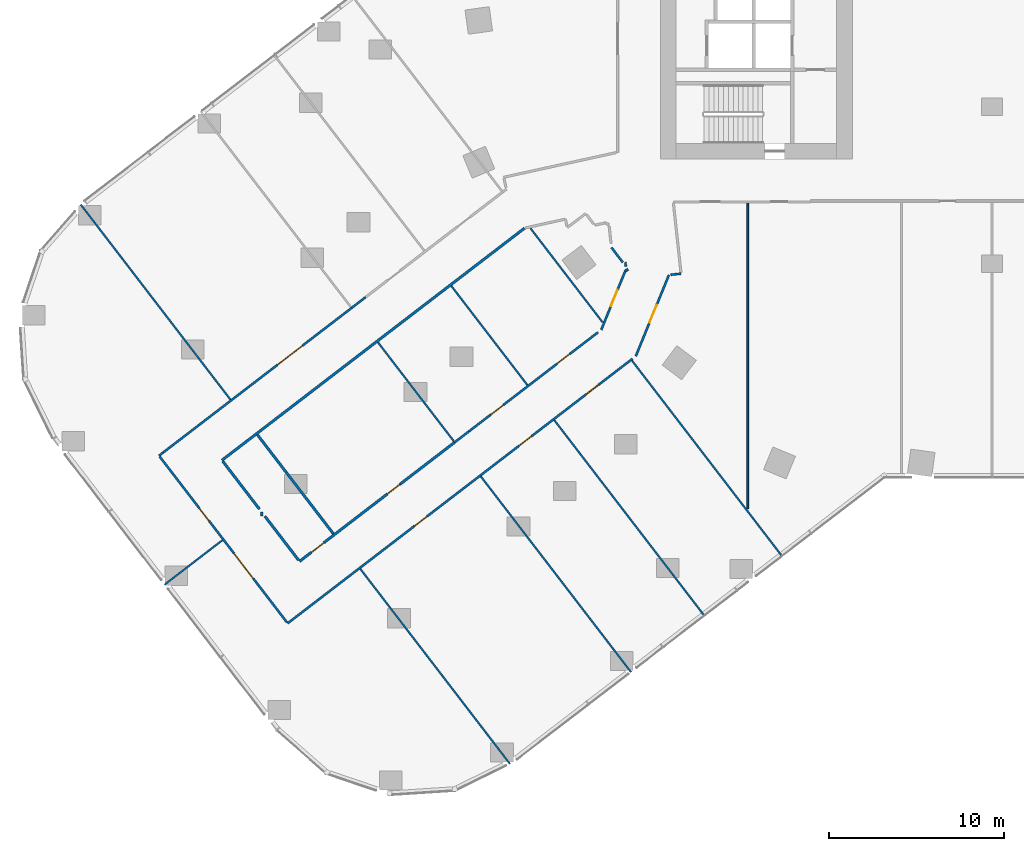
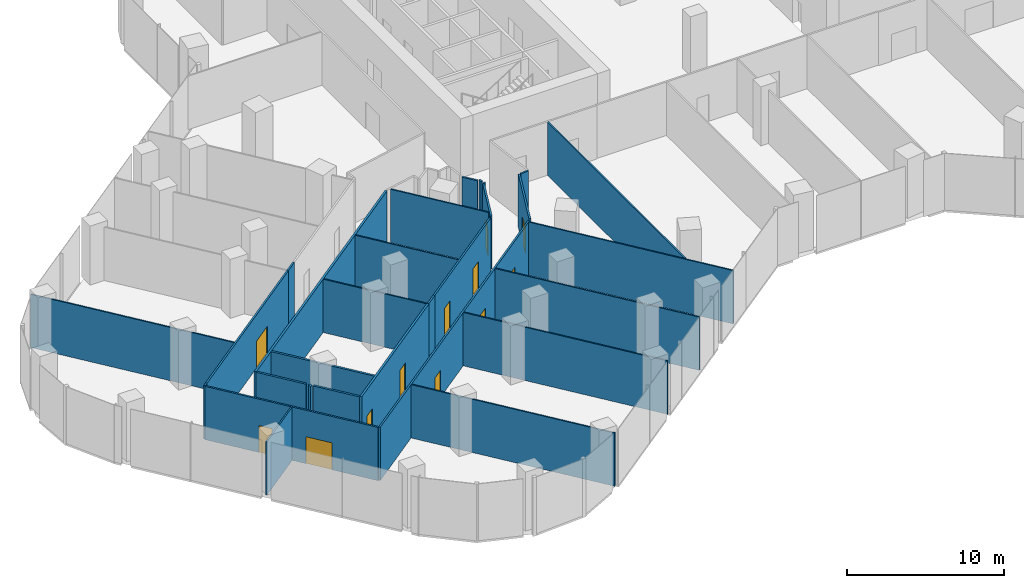
# One storey, part 22 of 30: 29 walls, 12 doors, 12 openings.
"""IFC4 building model written with IfcOpenShell, lengths in metres."""

from ifc_helpers import new_model, si_unit, direction, frame, frame_2d, origin, place, context, subcontext, project, spatial, rectangle, extrude, material, layer, layer_set, type_object, element, fill, save


model = new_model("IFC4")

# Units and contexts
model_context = context("Model", 3, precision=1e-05, world=origin(), true_north=direction((0.0, 1.0)))
body_context = subcontext(model_context, "Body", "Model", "MODEL_VIEW")
ifc_project = project(units=[si_unit("LENGTHUNIT", "METRE"), si_unit("AREAUNIT", "SQUARE_METRE"), si_unit("VOLUMEUNIT", "CUBIC_METRE"), si_unit("PLANEANGLEUNIT", "RADIAN"), si_unit("MASSUNIT", "GRAM", prefix="KILO")], contexts=[model_context])

# Site, building, storey
site_placement = place(None, origin())
site = spatial("IfcSite", under=ifc_project, at=site_placement, CompositionType="ELEMENT")
building_placement = place(site_placement, origin())
building = spatial("IfcBuilding", under=site, at=building_placement, Name="Orlundy Tower", CompositionType="ELEMENT")
storey_placement = place(building_placement, frame((0.0, 0.0, 20.5)))
storey = spatial("IfcBuildingStorey", under=building, at=storey_placement, Name="L03", CompositionType="ELEMENT", Elevation=20.5)

# Walls
ifc_material_1 = material(Name="Gypsum board partition")
ifc_layer_1 = layer(ifc_material_1, 0.10009765625)
ifc_layer_set_1 = layer_set([ifc_layer_1], Name="Floor partition 100")
wall_type_1 = type_object("IfcWallType", Name="Floor partition 100", PredefinedType="PARTITIONING", material=ifc_layer_set_1)
wall_1_placement = place(storey_placement, frame((-52.199951171875, -14.59912109375, 0.0), z_axis=(0.0, 0.0, 1.0), x_axis=(0.608818023879, -0.793309910312, 0.0)))
element("IfcWall", 1, at=wall_1_placement, inside=storey, type_object=wall_type_1, Name="wall-int-L03-011", PredefinedType="PARTITIONING", context=body_context, shape_type="SweptSolid", body=[
    extrude(rectangle(XDim=14.081298828125, YDim=0.10009765625, at=frame_2d((7.04052734375, 0.0))), origin(), (0.0, 0.0, 1.0), 4.159912109375),
])
wall_2_placement = place(storey_placement, frame((-36.18408203125, -35.470947265625, 0.0), z_axis=(0.0, 0.0, 1.0), x_axis=(0.608732507749, -0.793375531517, 0.0)))
element("IfcWall", 2, at=wall_2_placement, inside=storey, type_object=wall_type_1, Name="wall-int-L03-013", PredefinedType="PARTITIONING", context=body_context, shape_type="SweptSolid", body=[
    extrude(rectangle(XDim=14.081787109375, YDim=0.10009765625, at=frame_2d((7.041015625, 0.0))), origin(), (0.0, 0.0, 1.0), 4.159912109375),
])
wall_3_placement = place(storey_placement, frame((-35.178955078125, -22.489013671875, 0.0), z_axis=(0.0, 0.0, 1.0), x_axis=(0.608729798771, -0.793377610024, 0.0)))
element("IfcWall", 3, at=wall_3_placement, inside=storey, type_object=wall_type_1, Name="wall-int-L03-015", PredefinedType="PARTITIONING", context=body_context, shape_type="SweptSolid", body=[
    extrude(rectangle(XDim=7.147705078125, YDim=0.10009765625, at=frame_2d((3.57373046875, 0.0))), origin(), (0.0, 0.0, 1.0), 4.159912109375),
])
wall_4_placement = place(storey_placement, frame((-29.281982421875, -30.175048828125, 0.0), z_axis=(0.0, 0.0, 1.0), x_axis=(0.608783902678, -0.793336095132, 0.0)))
element("IfcWall", 4, at=wall_4_placement, inside=storey, type_object=wall_type_1, Name="wall-int-L03-016", PredefinedType="PARTITIONING", context=body_context, shape_type="SweptSolid", body=[
    extrude(rectangle(XDim=14.13623046875, YDim=0.10009765625, at=frame_2d((7.068115234375, 0.0))), origin(), (0.0, 0.0, 1.0), 4.159912109375),
])
wall_5_placement = place(storey_placement, frame((-30.97509765625, -19.260986328125, 0.0), z_axis=(0.0, 0.0, 1.0), x_axis=(0.60876639971, -0.793349526113, 0.0)))
element("IfcWall", 5, at=wall_5_placement, inside=storey, type_object=wall_type_1, Name="wall-int-L03-018", PredefinedType="PARTITIONING", context=body_context, shape_type="SweptSolid", body=[
    extrude(rectangle(XDim=7.162109375, YDim=0.10009765625, at=frame_2d((3.5810546875, 0.0))), origin(), (0.0, 0.0, 1.0), 4.159912109375),
])
wall_6_placement = place(storey_placement, frame((-25.076904296875, -26.947998046875, 0.0), z_axis=(0.0, 0.0, 1.0), x_axis=(0.60874219909, -0.793368095557, 0.0)))
element("IfcWall", 6, at=wall_6_placement, inside=storey, type_object=wall_type_1, Name="wall-int-L03-019", PredefinedType="PARTITIONING", context=body_context, shape_type="SweptSolid", body=[
    extrude(rectangle(XDim=14.13720703125, YDim=0.10009765625, at=frame_2d((7.068603515625, 0.0))), origin(), (0.0, 0.0, 1.0), 4.159912109375),
])
wall_7_placement = place(storey_placement, frame((-26.43994140625, -15.9619140625, 0.0), z_axis=(0.0, 0.0, 1.0), x_axis=(0.608697215762, -0.79340260872, 0.0)))
element("IfcWall", 7, at=wall_7_placement, inside=storey, type_object=wall_type_1, Name="wall-int-L03-021", PredefinedType="PARTITIONING", context=body_context, shape_type="SweptSolid", body=[
    extrude(rectangle(XDim=6.7900390625, YDim=0.10009765625, at=frame_2d((3.39501953125, 0.0))), origin(), (0.0, 0.0, 1.0), 4.159912109375),
])
wall_8_placement = place(storey_placement, frame((-20.6298828125, -23.534912109375, 0.0), z_axis=(0.0, 0.0, 1.0), x_axis=(0.60874219909, -0.793368095557, 0.0)))
element("IfcWall", 8, at=wall_8_placement, inside=storey, type_object=wall_type_1, Name="wall-int-L03-022", PredefinedType="PARTITIONING", context=body_context, shape_type="SweptSolid", body=[
    extrude(rectangle(XDim=14.13720703125, YDim=0.10009765625, at=frame_2d((7.068603515625, 0.0))), origin(), (0.0, 0.0, 1.0), 4.159912109375),
])
wall_9_placement = place(storey_placement, frame((-47.403076171875, -36.3740234375, 0.0), z_axis=(0.0, 0.0, 1.0), x_axis=(0.793154740431, 0.609020162008, 0.0)))
element("IfcWall", 9, at=wall_9_placement, inside=storey, type_object=wall_type_1, Name="wall-int-L03-045", PredefinedType="PARTITIONING", context=body_context, shape_type="SweptSolid", body=[
    extrude(rectangle(XDim=4.18701171875, YDim=0.10009765625, at=frame_2d((2.093505859375, 0.0))), origin(), (0.0, 0.0, 1.0), 4.159912109375),
])
wall_10_placement = place(storey_placement, frame((-14.0, -32.028076171875, 0.0), z_axis=(0.0, 0.0, 1.0), x_axis=(0.0, 1.0, 0.0)))
element("IfcWall", 10, at=wall_10_placement, inside=storey, type_object=wall_type_1, Name="wall-int-L03-065", PredefinedType="PARTITIONING", context=body_context, shape_type="SweptSolid", body=[
    extrude(rectangle(XDim=17.51416015625, YDim=0.10009765625, at=frame_2d((8.757080078125, 0.0))), origin(), (0.0, 0.0, 1.0), 4.159912109375),
])
ifc_material_2 = material(Name="Gypsum board partition, double layer")
ifc_layer_2 = layer(ifc_material_2, 0.125)
ifc_layer_set_2 = layer_set([ifc_layer_2], Name="Floor partition 125")
wall_type_2 = type_object("IfcWallType", Name="Floor partition 125", PredefinedType="PARTITIONING", material=ifc_layer_set_2)
wall_11_placement = place(storey_placement, frame((-21.00390625, -17.904052734375, 0.0), z_axis=(0.0, 0.0, 1.0), x_axis=(0.105933230141, -0.994373245191, 0.0)))
element("IfcWall", 11, at=wall_11_placement, inside=storey, type_object=wall_type_2, Name="wall-int-L03-001", PredefinedType="PARTITIONING", context=body_context, shape_type="SweptSolid", body=[
    extrude(rectangle(XDim=0.244384765625, YDim=0.125, at=frame_2d((0.1220703125, 0.0))), origin(), (0.0, 0.0, 1.0), 4.159912109375),
])
wall_12_placement = place(storey_placement, frame((-21.801025390625, -17.06103515625, 0.0), z_axis=(0.0, 0.0, 1.0), x_axis=(0.604123687543, -0.796890563471, 0.0)))
element("IfcWall", 12, at=wall_12_placement, inside=storey, type_object=wall_type_2, Name="wall-int-L03-007", PredefinedType="PARTITIONING", context=body_context, shape_type="SweptSolid", body=[
    extrude(rectangle(XDim=1.077880859375, YDim=0.125, at=frame_2d((0.5390625, 0.0))), origin(), (0.0, 0.0, 1.0), 4.159912109375),
])

# Wall, openings, doors
wall_13_placement = place(storey_placement, frame((-40.384033203125, -38.534912109375, 0.0), z_axis=(0.0, 0.0, 1.0), x_axis=(-0.609026744184, 0.793149686294, 0.0)))
wall_13 = element("IfcWall", 13, at=wall_13_placement, inside=storey, type_object=wall_type_2, Name="wall-int-L03-008", PredefinedType="PARTITIONING", context=body_context, shape_type="SweptSolid", body=[
    extrude(rectangle(XDim=11.974853515625, YDim=0.125, at=frame_2d((5.9873046875, 0.0))), origin(), (0.0, 0.0, 1.0), 4.159912109375),
])
opening_1_placement = place(wall_13_placement, frame((3.18798828125, 0.0, 0.0)))
opening_1 = element("IfcOpeningElement", 14, at=opening_1_placement, cuts=wall_13, Name="Opening 04108", PredefinedType="OPENING", context=body_context, shape_type="SweptSolid", body=[
    extrude(rectangle(XDim=1.800048828125, YDim=2.10009765625, at=frame_2d((0.89990234375, 1.050048828125))), frame((0.0, 0.072509765625, 0.0), z_axis=(0.0, -1.0, 0.0), x_axis=(1.0, 0.0, 0.0)), (0.0, 0.0, 1.0), 0.14501953125),
])
opening_2_placement = place(wall_13_placement, frame((7.33837890625, 0.0, 0.0)))
opening_2 = element("IfcOpeningElement", 15, at=opening_2_placement, cuts=wall_13, Name="Opening 04109", PredefinedType="OPENING", context=body_context, shape_type="SweptSolid", body=[
    extrude(rectangle(XDim=0.89990234375, YDim=2.10009765625, at=frame_2d((0.449951171875, 1.050048828125))), frame((0.0, 0.072509765625, 0.0), z_axis=(0.0, -1.0, 0.0), x_axis=(1.0, 0.0, 0.0)), (0.0, 0.0, 1.0), 0.14501953125),
])
ifc_material_3 = material(Name="Timber door leaf", Category="wood")
door_type_1 = type_object("IfcDoorType", Name="Floor door double 1800 FD30S", OperationType="NOTDEFINED", PredefinedType="DOOR", material=ifc_material_3)
door_1_placement = place(opening_1_placement, origin())
door_1 = element("IfcDoor", 16, at=door_1_placement, inside=storey, type_object=door_type_1, Name="Door 04108", OperationType="DOUBLE_DOOR_SINGLE_SWING", OverallHeight=2.10009765625, OverallWidth=1.800048828125, PredefinedType="DOOR", context=body_context, shape_type="SweptSolid", body=[
    extrude(rectangle(XDim=1.800048828125, YDim=2.10009765625, at=frame_2d((0.89990234375, 1.050048828125))), frame((0.0, 0.02490234375, 0.0), z_axis=(0.0, -1.0, 0.0), x_axis=(1.0, 0.0, 0.0)), (0.0, 0.0, 1.0), 0.050048828125),
])
fill(opening_1, door_1)
ifc_material_4 = material(Name="Timber door leaf", Category="wood")
door_type_2 = type_object("IfcDoorType", Name="Floor door single 900 FD30S", OperationType="NOTDEFINED", PredefinedType="DOOR", material=ifc_material_4)
door_2_placement = place(opening_2_placement, origin())
door_2 = element("IfcDoor", 17, at=door_2_placement, inside=storey, type_object=door_type_2, Name="Door 04109", OperationType="SINGLE_SWING_RIGHT", OverallHeight=2.10009765625, OverallWidth=0.89990234375, PredefinedType="DOOR", context=body_context, shape_type="SweptSolid", body=[
    extrude(rectangle(XDim=0.89990234375, YDim=2.10009765625, at=frame_2d((0.449951171875, 1.050048828125))), frame((0.0, 0.02490234375, 0.0), z_axis=(0.0, -1.0, 0.0), x_axis=(1.0, 0.0, 0.0)), (0.0, 0.0, 1.0), 0.050048828125),
])
fill(opening_2, door_2)

# Walls
wall_14_placement = place(storey_placement, frame((-18.406005859375, -18.623046875, 0.0), z_axis=(0.0, 0.0, 1.0), x_axis=(0.994037722998, 0.109036715182, 0.0)))
element("IfcWall", 18, at=wall_14_placement, inside=storey, type_object=wall_type_2, Name="wall-int-L03-035", PredefinedType="PARTITIONING", context=body_context, shape_type="SweptSolid", body=[
    extrude(rectangle(XDim=0.595703125, YDim=0.125, at=frame_2d((0.2978515625, 0.0))), origin(), (0.0, 0.0, 1.0), 4.159912109375),
])
wall_15_placement = place(storey_placement, frame((-21.01904296875, -18.427978515625, 0.0), z_axis=(0.0, 0.0, 1.0), x_axis=(0.797092148154, 0.603857687995, 0.0)))
element("IfcWall", 19, at=wall_15_placement, inside=storey, type_object=wall_type_2, Name="wall-int-L03-040", PredefinedType="PARTITIONING", context=body_context, shape_type="SweptSolid", body=[
    extrude(rectangle(XDim=0.2021484375, YDim=0.125, at=frame_2d((0.10107421875, 0.0))), origin(), (0.0, 0.0, 1.0), 4.159912109375),
])

# Wall, openings, doors
wall_16_placement = place(storey_placement, frame((-20.592041015625, -23.430908203125, 0.0), z_axis=(0.0, 0.0, 1.0), x_axis=(-0.793434310261, -0.608655892356, 0.0)))
wall_16 = element("IfcWall", 20, at=wall_16_placement, inside=storey, type_object=wall_type_2, Name="wall-int-L03-041", PredefinedType="PARTITIONING", context=body_context, shape_type="SweptSolid", body=[
    extrude(rectangle(XDim=24.899169921875, YDim=0.125, at=frame_2d((12.44970703125, 0.0))), origin(), (0.0, 0.0, 1.0), 4.159912109375),
])
opening_3_placement = place(wall_16_placement, frame((2.443115234375, 0.0, 0.0)))
opening_3 = element("IfcOpeningElement", 21, at=opening_3_placement, cuts=wall_16, Name="Opening 04101", PredefinedType="OPENING", context=body_context, shape_type="SweptSolid", body=[
    extrude(rectangle(XDim=0.89990234375, YDim=2.10009765625, at=frame_2d((0.449951171875, 1.050048828125))), frame((0.0, 0.072509765625, 0.0), z_axis=(0.0, -1.0, 0.0), x_axis=(1.0, 0.0, 0.0)), (0.0, 0.0, 1.0), 0.14501953125),
])
opening_4_placement = place(wall_16_placement, frame((7.298828125, 0.0, 0.0)))
opening_4 = element("IfcOpeningElement", 22, at=opening_4_placement, cuts=wall_16, Name="Opening 04102", PredefinedType="OPENING", context=body_context, shape_type="SweptSolid", body=[
    extrude(rectangle(XDim=0.89990234375, YDim=2.10009765625, at=frame_2d((0.449951171875, 1.050048828125))), frame((0.0, 0.072509765625, 0.0), z_axis=(0.0, -1.0, 0.0), x_axis=(1.0, 0.0, 0.0)), (0.0, 0.0, 1.0), 0.14501953125),
])
opening_5_placement = place(wall_16_placement, frame((14.849365234375, 0.0, 0.0)))
opening_5 = element("IfcOpeningElement", 23, at=opening_5_placement, cuts=wall_16, Name="Opening 04103", PredefinedType="OPENING", context=body_context, shape_type="SweptSolid", body=[
    extrude(rectangle(XDim=0.89990234375, YDim=2.10009765625, at=frame_2d((0.449951171875, 1.050048828125))), frame((0.0, 0.072509765625, 0.0), z_axis=(0.0, -1.0, 0.0), x_axis=(1.0, 0.0, 0.0)), (0.0, 0.0, 1.0), 0.14501953125),
])
door_3_placement = place(opening_3_placement, origin())
door_3 = element("IfcDoor", 24, at=door_3_placement, inside=storey, type_object=door_type_2, Name="Door 04101", OperationType="SINGLE_SWING_LEFT", OverallHeight=2.10009765625, OverallWidth=0.89990234375, PredefinedType="DOOR", context=body_context, shape_type="SweptSolid", body=[
    extrude(rectangle(XDim=0.89990234375, YDim=2.10009765625, at=frame_2d((0.449951171875, 1.050048828125))), frame((0.0, 0.02490234375, 0.0), z_axis=(0.0, -1.0, 0.0), x_axis=(1.0, 0.0, 0.0)), (0.0, 0.0, 1.0), 0.050048828125),
])
fill(opening_3, door_3)
door_4_placement = place(opening_4_placement, origin())
door_4 = element("IfcDoor", 25, at=door_4_placement, inside=storey, type_object=door_type_2, Name="Door 04102", OperationType="SINGLE_SWING_LEFT", OverallHeight=2.10009765625, OverallWidth=0.89990234375, PredefinedType="DOOR", context=body_context, shape_type="SweptSolid", body=[
    extrude(rectangle(XDim=0.89990234375, YDim=2.10009765625, at=frame_2d((0.449951171875, 1.050048828125))), frame((0.0, 0.02490234375, 0.0), z_axis=(0.0, -1.0, 0.0), x_axis=(1.0, 0.0, 0.0)), (0.0, 0.0, 1.0), 0.050048828125),
])
fill(opening_4, door_4)
door_5_placement = place(opening_5_placement, origin())
door_5 = element("IfcDoor", 26, at=door_5_placement, inside=storey, type_object=door_type_2, Name="Door 04103", OperationType="SINGLE_SWING_RIGHT", OverallHeight=2.10009765625, OverallWidth=0.89990234375, PredefinedType="DOOR", context=body_context, shape_type="SweptSolid", body=[
    extrude(rectangle(XDim=0.89990234375, YDim=2.10009765625, at=frame_2d((0.449951171875, 1.050048828125))), frame((0.0, 0.02490234375, 0.0), z_axis=(0.0, -1.0, 0.0), x_axis=(1.0, 0.0, 0.0)), (0.0, 0.0, 1.0), 0.050048828125),
])
fill(opening_5, door_5)

# Wall
wall_17_placement = place(storey_placement, frame((-30.781982421875, -28.219970703125, 0.0), z_axis=(0.0, 0.0, 1.0), x_axis=(0.793579274907, 0.608466872096, 0.0)))
element("IfcWall", 27, at=wall_17_placement, inside=storey, type_object=wall_type_2, Name="wall-int-L03-042", PredefinedType="PARTITIONING", context=body_context, shape_type="SweptSolid", body=[
    extrude(rectangle(XDim=1.015625, YDim=0.125, at=frame_2d((0.5078125, 0.0))), origin(), (0.0, 0.0, 1.0), 4.159912109375),
])

# Wall, openings, doors
wall_18_placement = place(storey_placement, frame((-29.97607421875, -27.60205078125, 0.0), z_axis=(0.0, 0.0, 1.0), x_axis=(0.793237948633, 0.608911780843, 0.0)))
wall_18 = element("IfcWall", 28, at=wall_18_placement, inside=storey, type_object=wall_type_2, Name="wall-int-L03-044", PredefinedType="PARTITIONING", context=body_context, shape_type="SweptSolid", body=[
    extrude(rectangle(XDim=9.33642578125, YDim=0.125, at=frame_2d((4.668212890625, 0.0))), origin(), (0.0, 0.0, 1.0), 4.159912109375),
])
opening_6_placement = place(wall_18_placement, frame((6.385009765625, 0.0, 0.0)))
opening_6 = element("IfcOpeningElement", 29, at=opening_6_placement, cuts=wall_18, Name="Opening 04104", PredefinedType="OPENING", context=body_context, shape_type="SweptSolid", body=[
    extrude(rectangle(XDim=0.89990234375, YDim=2.10009765625, at=frame_2d((0.449951171875, 1.050048828125))), frame((0.0, 0.072509765625, 0.0), z_axis=(0.0, -1.0, 0.0), x_axis=(1.0, 0.0, 0.0)), (0.0, 0.0, 1.0), 0.14501953125),
])
opening_7_placement = place(wall_18_placement, frame((1.60009765625, 0.0, 0.0)))
opening_7 = element("IfcOpeningElement", 30, at=opening_7_placement, cuts=wall_18, Name="Opening 04105", PredefinedType="OPENING", context=body_context, shape_type="SweptSolid", body=[
    extrude(rectangle(XDim=0.89990234375, YDim=2.10009765625, at=frame_2d((0.449951171875, 1.050048828125))), frame((0.0, 0.072509765625, 0.0), z_axis=(0.0, -1.0, 0.0), x_axis=(1.0, 0.0, 0.0)), (0.0, 0.0, 1.0), 0.14501953125),
])
door_6_placement = place(opening_6_placement, origin())
door_6 = element("IfcDoor", 31, at=door_6_placement, inside=storey, type_object=door_type_2, Name="Door 04104", OperationType="SINGLE_SWING_RIGHT", OverallHeight=2.10009765625, OverallWidth=0.89990234375, PredefinedType="DOOR", context=body_context, shape_type="SweptSolid", body=[
    extrude(rectangle(XDim=0.89990234375, YDim=2.10009765625, at=frame_2d((0.449951171875, 1.050048828125))), frame((0.0, 0.02490234375, 0.0), z_axis=(0.0, -1.0, 0.0), x_axis=(1.0, 0.0, 0.0)), (0.0, 0.0, 1.0), 0.050048828125),
])
fill(opening_6, door_6)
door_7_placement = place(opening_7_placement, origin())
door_7 = element("IfcDoor", 32, at=door_7_placement, inside=storey, type_object=door_type_2, Name="Door 04105", OperationType="SINGLE_SWING_LEFT", OverallHeight=2.10009765625, OverallWidth=0.89990234375, PredefinedType="DOOR", context=body_context, shape_type="SweptSolid", body=[
    extrude(rectangle(XDim=0.89990234375, YDim=2.10009765625, at=frame_2d((0.449951171875, 1.050048828125))), frame((0.0, 0.02490234375, 0.0), z_axis=(0.0, -1.0, 0.0), x_axis=(1.0, 0.0, 0.0)), (0.0, 0.0, 1.0), 0.050048828125),
])
fill(opening_7, door_7)

# Wall
wall_19_placement = place(storey_placement, frame((-36.68701171875, -20.52392578125, 0.0), z_axis=(0.0, 0.0, 1.0), x_axis=(0.793579274907, 0.608466872096, 0.0)))
element("IfcWall", 33, at=wall_19_placement, inside=storey, type_object=wall_type_2, Name="wall-int-L03-047", PredefinedType="PARTITIONING", context=body_context, shape_type="SweptSolid", body=[
    extrude(rectangle(XDim=1.015625, YDim=0.125, at=frame_2d((0.5078125, 0.0))), origin(), (0.0, 0.0, 1.0), 4.159912109375),
])

# Wall, opening, door
wall_20_placement = place(storey_placement, frame((-47.47607421875, -28.802978515625, 0.0), z_axis=(0.0, 0.0, 1.0), x_axis=(0.793403481743, 0.608696077823, 0.0)))
wall_20 = element("IfcWall", 34, at=wall_20_placement, inside=storey, type_object=wall_type_2, Name="wall-int-L03-048", PredefinedType="PARTITIONING", context=body_context, shape_type="SweptSolid", body=[
    extrude(rectangle(XDim=13.599609375, YDim=0.125, at=frame_2d((6.7998046875, 0.0))), origin(), (0.0, 0.0, 1.0), 4.159912109375),
])
opening_8_placement = place(wall_20_placement, frame((8.249755859375, 0.0, 0.0)))
opening_8 = element("IfcOpeningElement", 35, at=opening_8_placement, cuts=wall_20, Name="Opening 04112", PredefinedType="OPENING", context=body_context, shape_type="SweptSolid", body=[
    extrude(rectangle(XDim=1.800048828125, YDim=2.10009765625, at=frame_2d((0.89990234375, 1.050048828125))), frame((0.0, 0.072509765625, 0.0), z_axis=(0.0, -1.0, 0.0), x_axis=(1.0, 0.0, 0.0)), (0.0, 0.0, 1.0), 0.14501953125),
])
door_8_placement = place(opening_8_placement, origin())
door_8 = element("IfcDoor", 36, at=door_8_placement, inside=storey, type_object=door_type_1, Name="Door 04112", OperationType="DOUBLE_DOOR_SINGLE_SWING", OverallHeight=2.10009765625, OverallWidth=1.800048828125, PredefinedType="DOOR", context=body_context, shape_type="SweptSolid", body=[
    extrude(rectangle(XDim=1.800048828125, YDim=2.10009765625, at=frame_2d((0.89990234375, 1.050048828125))), frame((0.0, 0.02490234375, 0.0), z_axis=(0.0, -1.0, 0.0), x_axis=(1.0, 0.0, 0.0)), (0.0, 0.0, 1.0), 0.050048828125),
])
fill(opening_8, door_8)

# Wall
wall_21_placement = place(storey_placement, frame((-47.714111328125, -28.986083984375, 0.0), z_axis=(0.0, 0.0, 1.0), x_axis=(0.792623989105, 0.60971076085, 0.0)))
element("IfcWall", 37, at=wall_21_placement, inside=storey, type_object=wall_type_2, Name="wall-int-L03-051", PredefinedType="PARTITIONING", context=body_context, shape_type="SweptSolid", body=[
    extrude(rectangle(XDim=0.30029296875, YDim=0.125, at=frame_2d((0.150146484375, 0.0))), origin(), (0.0, 0.0, 1.0), 4.159912109375),
])

# Wall, opening, door
wall_22_placement = place(storey_placement, frame((-18.510009765625, -18.634033203125, 0.0), z_axis=(0.0, 0.0, 1.0), x_axis=(-0.377847706778, -0.925867760797, 0.0)))
wall_22 = element("IfcWall", 38, at=wall_22_placement, inside=storey, type_object=wall_type_2, Name="wall-int-L03-055", PredefinedType="PARTITIONING", context=body_context, shape_type="SweptSolid", body=[
    extrude(rectangle(XDim=5.025634765625, YDim=0.125, at=frame_2d((2.5126953125, 0.0))), origin(), (0.0, 0.0, 1.0), 4.159912109375),
])
opening_9_placement = place(wall_22_placement, frame((1.85009765625, 0.0, 0.0)))
opening_9 = element("IfcOpeningElement", 39, at=opening_9_placement, cuts=wall_22, Name="Opening 04115", PredefinedType="OPENING", context=body_context, shape_type="SweptSolid", body=[
    extrude(rectangle(XDim=1.10009765625, YDim=2.10009765625, at=frame_2d((0.550048828125, 1.050048828125))), frame((0.0, 0.072509765625, 0.0), z_axis=(0.0, -1.0, 0.0), x_axis=(1.0, 0.0, 0.0)), (0.0, 0.0, 1.0), 0.14501953125),
])
ifc_material_5 = material(Name="Timber door leaf", Category="wood")
door_type_3 = type_object("IfcDoorType", Name="Floor door xwide 1100 FD30S", OperationType="NOTDEFINED", PredefinedType="DOOR", material=ifc_material_5)
door_9_placement = place(opening_9_placement, origin())
door_9 = element("IfcDoor", 40, at=door_9_placement, inside=storey, type_object=door_type_3, Name="Door 04115", OperationType="SINGLE_SWING_LEFT", OverallHeight=2.10009765625, OverallWidth=1.10009765625, PredefinedType="DOOR", context=body_context, shape_type="SweptSolid", body=[
    extrude(rectangle(XDim=1.10009765625, YDim=2.10009765625, at=frame_2d((0.550048828125, 1.050048828125))), frame((0.0, 0.02490234375, 0.0), z_axis=(0.0, -1.0, 0.0), x_axis=(1.0, 0.0, 0.0)), (0.0, 0.0, 1.0), 0.050048828125),
])
fill(opening_9, door_9)

wall_23_placement = place(storey_placement, frame((-22.386962890625, -21.778076171875, 0.0), z_axis=(0.0, 0.0, 1.0), x_axis=(0.377843834017, 0.925869341265, 0.0)))
wall_23 = element("IfcWall", 41, at=wall_23_placement, inside=storey, type_object=wall_type_2, Name="wall-int-L03-056", PredefinedType="PARTITIONING", context=body_context, shape_type="SweptSolid", body=[
    extrude(rectangle(XDim=3.615234375, YDim=0.125, at=frame_2d((1.8076171875, 0.0))), origin(), (0.0, 0.0, 1.0), 4.159912109375),
])
opening_10_placement = place(wall_23_placement, frame((1.475830078125, 0.0, 0.0)))
opening_10 = element("IfcOpeningElement", 42, at=opening_10_placement, cuts=wall_23, Name="Opening 04114", PredefinedType="OPENING", context=body_context, shape_type="SweptSolid", body=[
    extrude(rectangle(XDim=1.0, YDim=2.10009765625, at=frame_2d((0.5, 1.050048828125))), frame((0.0, 0.072509765625, 0.0), z_axis=(0.0, -1.0, 0.0), x_axis=(1.0, 0.0, 0.0)), (0.0, 0.0, 1.0), 0.14501953125),
])
ifc_material_6 = material(Name="Timber door leaf", Category="wood")
door_type_4 = type_object("IfcDoorType", Name="Floor door wide 1000 FD30S", OperationType="NOTDEFINED", PredefinedType="DOOR", material=ifc_material_6)
door_10_placement = place(opening_10_placement, origin())
door_10 = element("IfcDoor", 43, at=door_10_placement, inside=storey, type_object=door_type_4, Name="Door 04114", OperationType="SINGLE_SWING_RIGHT", OverallHeight=2.10009765625, OverallWidth=1.0, PredefinedType="DOOR", context=body_context, shape_type="SweptSolid", body=[
    extrude(rectangle(XDim=1.0, YDim=2.10009765625, at=frame_2d((0.5, 1.050048828125))), frame((0.0, 0.02490234375, 0.0), z_axis=(0.0, -1.0, 0.0), x_axis=(1.0, 0.0, 0.0)), (0.0, 0.0, 1.0), 0.050048828125),
])
fill(opening_10, door_10)

# Walls
ifc_material_7 = material(Name="Blockwork shaft wall", Category="masonry")
ifc_layer_3 = layer(ifc_material_7, 0.14990234375)
ifc_layer_set_3 = layer_set([ifc_layer_3], Name="Floor shaft wall 150")
wall_type_3 = type_object("IfcWallType", Name="Floor shaft wall 150", PredefinedType="PARTITIONING", material=ifc_layer_set_3)
wall_24_placement = place(storey_placement, frame((-44.06396484375, -29.306884765625, 0.0), z_axis=(0.0, 0.0, 1.0), x_axis=(0.608421148176, -0.793614331053, 0.0)))
element("IfcWall", 44, at=wall_24_placement, inside=storey, type_object=wall_type_3, Name="wall-int-L03-009", PredefinedType="PARTITIONING", context=body_context, shape_type="SweptSolid", body=[
    extrude(rectangle(XDim=3.451416015625, YDim=0.14990234375, at=frame_2d((1.7255859375, 0.0))), origin(), (0.0, 0.0, 1.0), 4.159912109375),
])
wall_25_placement = place(storey_placement, frame((-41.653076171875, -32.449951171875, 0.0), z_axis=(0.0, 0.0, 1.0), x_axis=(0.60867753108, -0.793417710389, 0.0)))
element("IfcWall", 45, at=wall_25_placement, inside=storey, type_object=wall_type_3, Name="wall-int-L03-010", PredefinedType="PARTITIONING", context=body_context, shape_type="SweptSolid", body=[
    extrude(rectangle(XDim=3.1875, YDim=0.14990234375, at=frame_2d((1.59375, 0.0))), origin(), (0.0, 0.0, 1.0), 4.159912109375),
])
wall_26_placement = place(storey_placement, frame((-42.0810546875, -27.785888671875, 0.0), z_axis=(0.0, 0.0, 1.0), x_axis=(0.608779288924, -0.793339635577, 0.0)))
element("IfcWall", 46, at=wall_26_placement, inside=storey, type_object=wall_type_3, Name="wall-int-L03-012", PredefinedType="PARTITIONING", context=body_context, shape_type="SweptSolid", body=[
    extrude(rectangle(XDim=7.147216796875, YDim=0.14990234375, at=frame_2d((3.57373046875, 0.0))), origin(), (0.0, 0.0, 1.0), 4.159912109375),
])

# Wall, openings, doors
wall_27_placement = place(storey_placement, frame((-39.6669921875, -35.0380859375, 0.0), z_axis=(0.0, 0.0, 1.0), x_axis=(0.793293656215, 0.608839202917, 0.0)))
wall_27 = element("IfcWall", 47, at=wall_27_placement, inside=storey, type_object=wall_type_3, Name="wall-int-L03-043", PredefinedType="PARTITIONING", context=body_context, shape_type="SweptSolid", body=[
    extrude(rectangle(XDim=11.2001953125, YDim=0.14990234375, at=frame_2d((5.60009765625, 0.0))), origin(), (0.0, 0.0, 1.0), 4.159912109375),
])
opening_11_placement = place(wall_27_placement, frame((6.349853515625, 0.0, 0.0)))
opening_11 = element("IfcOpeningElement", 48, at=opening_11_placement, cuts=wall_27, Name="Opening 04106", PredefinedType="OPENING", context=body_context, shape_type="SweptSolid", body=[
    extrude(rectangle(XDim=0.89990234375, YDim=2.10009765625, at=frame_2d((0.449951171875, 1.050048828125))), frame((0.0, 0.0849609375, 0.0), z_axis=(0.0, -1.0, 0.0), x_axis=(1.0, 0.0, 0.0)), (0.0, 0.0, 1.0), 0.169921875),
])
opening_12_placement = place(wall_27_placement, frame((0.85009765625, 0.0, 0.0)))
opening_12 = element("IfcOpeningElement", 49, at=opening_12_placement, cuts=wall_27, Name="Opening 04107", PredefinedType="OPENING", context=body_context, shape_type="SweptSolid", body=[
    extrude(rectangle(XDim=0.89990234375, YDim=2.10009765625, at=frame_2d((0.449951171875, 1.050048828125))), frame((0.0, 0.0849609375, 0.0), z_axis=(0.0, -1.0, 0.0), x_axis=(1.0, 0.0, 0.0)), (0.0, 0.0, 1.0), 0.169921875),
])
ifc_material_8 = material(Name="Timber door leaf", Category="wood")
door_type_5 = type_object("IfcDoorType", Name="Floor door single 900 FD60", OperationType="NOTDEFINED", PredefinedType="DOOR", material=ifc_material_8)
door_11_placement = place(opening_11_placement, origin())
door_11 = element("IfcDoor", 50, at=door_11_placement, inside=storey, type_object=door_type_5, Name="Door 04106", OperationType="SINGLE_SWING_RIGHT", OverallHeight=2.10009765625, OverallWidth=0.89990234375, PredefinedType="DOOR", context=body_context, shape_type="SweptSolid", body=[
    extrude(rectangle(XDim=0.89990234375, YDim=2.10009765625, at=frame_2d((0.449951171875, 1.050048828125))), frame((0.0, 0.02490234375, 0.0), z_axis=(0.0, -1.0, 0.0), x_axis=(1.0, 0.0, 0.0)), (0.0, 0.0, 1.0), 0.050048828125),
])
fill(opening_11, door_11)
door_12_placement = place(opening_12_placement, origin())
door_12 = element("IfcDoor", 51, at=door_12_placement, inside=storey, type_object=door_type_5, Name="Door 04107", OperationType="SINGLE_SWING_LEFT", OverallHeight=2.10009765625, OverallWidth=0.89990234375, PredefinedType="DOOR", context=body_context, shape_type="SweptSolid", body=[
    extrude(rectangle(XDim=0.89990234375, YDim=2.10009765625, at=frame_2d((0.449951171875, 1.050048828125))), frame((0.0, 0.02490234375, 0.0), z_axis=(0.0, -1.0, 0.0), x_axis=(1.0, 0.0, 0.0)), (0.0, 0.0, 1.0), 0.050048828125),
])
fill(opening_12, door_12)

# Walls
wall_28_placement = place(storey_placement, frame((-44.110107421875, -29.2470703125, 0.0), z_axis=(0.0, 0.0, 1.0), x_axis=(0.793471030698, 0.608608021179, 0.0)))
element("IfcWall", 52, at=wall_28_placement, inside=storey, type_object=wall_type_3, Name="wall-int-L03-046", PredefinedType="PARTITIONING", context=body_context, shape_type="SweptSolid", body=[
    extrude(rectangle(XDim=21.83837890625, YDim=0.14990234375, at=frame_2d((10.919189453125, 0.0))), origin(), (0.0, 0.0, 1.0), 4.159912109375),
])
wall_29_placement = place(storey_placement, frame((-41.827880859375, -32.448974609375, 0.0), z_axis=(0.0, 0.0, 1.0), x_axis=(0.0, 1.0, 0.0)))
element("IfcWall", 53, at=wall_29_placement, inside=storey, type_object=wall_type_3, Name="wall-int-L03-069", PredefinedType="PARTITIONING", context=body_context, shape_type="SweptSolid", body=[
    extrude(rectangle(XDim=0.22802734375, YDim=0.14990234375, at=frame_2d((0.114013671875, 0.0))), origin(), (0.0, 0.0, 1.0), 4.159912109375),
])

save(model, "model.ifc")
